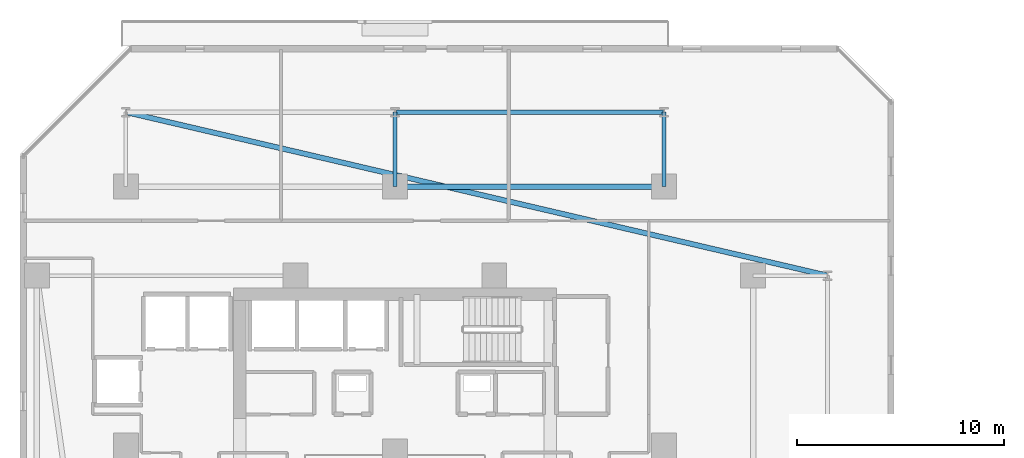
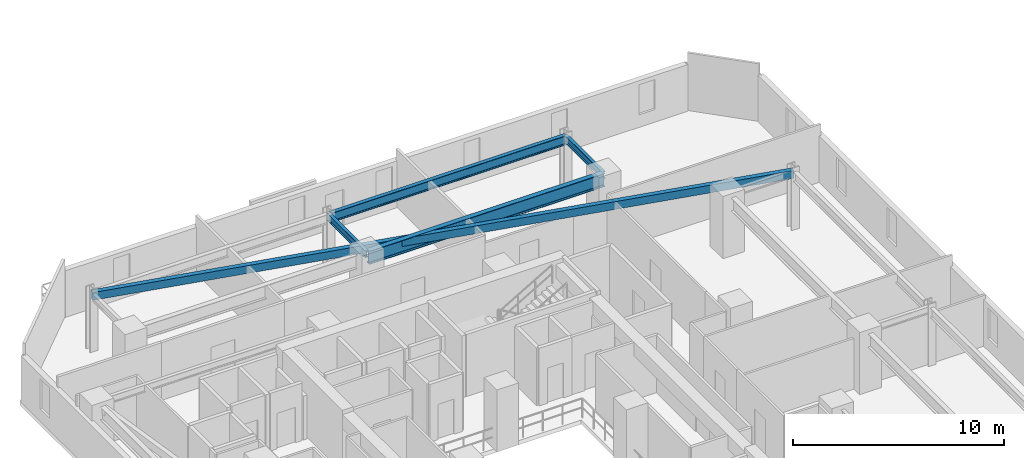
# One storey, part 9 of 31: 5 beams.
"""IFC4 building model written with IfcOpenShell, lengths in metres."""

import ifcopenshell
import ifcopenshell.guid

model = None  # the IFC model being written
_history = None  # IfcOwnerHistory: only IFC2X3 demands one
_inside = {}  # id of a spatial element -> (the spatial element, [elements in it])
_under = {}  # id of a project, library or spatial element -> (it, [spatial elements below it])
_declared = {}  # id of a project -> (the project, [libraries it declares])
_typed = {}  # id of a type object -> (the type object, [elements of that type])
_made_of = {}  # id of a material, layer set ... -> (it, [elements and type objects made of it])


def new_model(schema):
    """Start an empty IFC model of exactly this schema.

    Asked for "IFC4X3", IfcOpenShell would pick the latest addendum, in which some entities
    have other attributes; the version numbers below select the first issue.
    IFC2X3 requires an IfcOwnerHistory on every rooted entity: one is made here for all.
    """
    global model, _history
    if schema == "IFC4X3":
        model = ifcopenshell.file(schema_version=(4, 3, 0, 0))
    else:
        model = ifcopenshell.file(schema=schema)
    _inside.clear()
    _under.clear()
    _declared.clear()
    _typed.clear()
    _made_of.clear()
    _history = None
    if model.schema == "IFC2X3":
        org = make("IfcOrganization", Name="unknown")
        user = make(
            "IfcPersonAndOrganization",
            ThePerson=make("IfcPerson", FamilyName="unknown"),
            TheOrganization=org,
        )
        app = make(
            "IfcApplication",
            ApplicationDeveloper=org,
            Version="unknown",
            ApplicationFullName="unknown",
            ApplicationIdentifier="unknown",
        )
        _history = make(
            "IfcOwnerHistory",
            OwningUser=user,
            OwningApplication=app,
            ChangeAction="ADDED",
            CreationDate=0,
        )
    return model


def make(cls, **values):
    """One entity of the class cls with the attributes given. An attribute that is None is left unset."""
    return model.create_entity(
        cls, **{name: value for name, value in values.items() if value is not None}
    )


def rooted(cls, **values):
    """An entity with a GlobalId (a new one), such as an element, a storey or a relation."""
    return make(cls, GlobalId=ifcopenshell.guid.new(), OwnerHistory=_history, **values)


def si_unit(unit_type, name, prefix=None):
    """IfcSIUnit, for example si_unit("LENGTHUNIT", "METRE", prefix="MILLI")."""
    return make("IfcSIUnit", UnitType=unit_type, Prefix=prefix, Name=name)


def assignment(units):
    """IfcUnitAssignment: the units of a project."""
    return None if units is None else make("IfcUnitAssignment", Units=units)


def point(xyz):
    """IfcCartesianPoint."""
    return None if xyz is None else make("IfcCartesianPoint", Coordinates=xyz)


def direction(xyz):
    """IfcDirection."""
    return None if xyz is None else make("IfcDirection", DirectionRatios=xyz)


def frame(location, z_axis=None, x_axis=None):
    """IfcAxis2Placement3D, a coordinate frame: its origin and axes. An axis left out is left unset."""
    return make(
        "IfcAxis2Placement3D",
        Location=point(location),
        Axis=direction(z_axis),
        RefDirection=direction(x_axis),
    )


def frame_2d(location, x_axis=None):
    """IfcAxis2Placement2D, a coordinate frame in the plane: its origin and x axis."""
    return make(
        "IfcAxis2Placement2D", Location=point(location), RefDirection=direction(x_axis)
    )


def origin():
    """The frame at (0, 0, 0) with its axes left unset."""
    return frame((0.0, 0.0, 0.0))


def origin_2d():
    """The frame at (0, 0) in the plane with its x axis left unset."""
    return frame_2d((0.0, 0.0))


def place(relative_to, where):
    """IfcLocalPlacement: puts the frame where relative to a parent placement (None: the world)."""
    return make(
        "IfcLocalPlacement", PlacementRelTo=relative_to, RelativePlacement=where
    )


def context(
    kind, dimensions, precision=None, world=None, true_north=None, identifier=None
):
    """IfcGeometricRepresentationContext, for example the 3D "Model" context."""
    return make(
        "IfcGeometricRepresentationContext",
        ContextIdentifier=identifier,
        ContextType=kind,
        CoordinateSpaceDimension=dimensions,
        Precision=precision,
        WorldCoordinateSystem=world,
        TrueNorth=true_north,
    )


def subcontext(parent, identifier, kind, view, scale=None):
    """IfcGeometricRepresentationSubContext, for example "Body" below "Model"."""
    return make(
        "IfcGeometricRepresentationSubContext",
        ContextIdentifier=identifier,
        ContextType=kind,
        ParentContext=parent,
        TargetScale=scale,
        TargetView=view,
    )


def project(units=None, contexts=None):
    """IfcProject with its units and contexts."""
    return rooted(
        "IfcProject",
        Name="project",
        RepresentationContexts=contexts,
        UnitsInContext=assignment(units),
    )


def spatial(cls, under=None, at=None, **own):
    """A site, building, storey or space (cls), placed at a placement, below another one or the project."""
    s = rooted(cls, ObjectPlacement=at, **own)
    if under is not None:
        _under.setdefault(under.id(), (under, []))[1].append(s)
    return s


def profile(cls, at=None, kind="AREA", **sizes):
    """A parametric profile (cls). Its sizes go by their IFC names, for example OverallWidth=200.0."""
    return make(cls, ProfileType=kind, Position=at, **sizes)


def hollow_rectangle(**sizes):
    """IfcRectangleHollowProfileDef."""
    return profile("IfcRectangleHollowProfileDef", **sizes)


def i_section(**sizes):
    """IfcIShapeProfileDef."""
    return profile("IfcIShapeProfileDef", **sizes)


def extrude(swept, where, along, depth):
    """IfcExtrudedAreaSolid: the profile swept, set in the frame where, extruded along a direction by depth."""
    return make(
        "IfcExtrudedAreaSolid",
        SweptArea=swept,
        Position=where,
        ExtrudedDirection=direction(along),
        Depth=depth,
    )


def shape(context_of_items, identifier, shape_type, items):
    """IfcShapeRepresentation: the items that make up one representation, for example the "Body"."""
    return make(
        "IfcShapeRepresentation",
        ContextOfItems=context_of_items,
        RepresentationIdentifier=identifier,
        RepresentationType=shape_type,
        Items=items,
    )


def material(Name=None, Category=None):
    """IfcMaterial."""
    return make("IfcMaterial", Name=Name, Category=Category)


def material_profile(
    of_material, cross_section, Name=None, Category=None, Priority=None
):
    """IfcMaterialProfile: a cross section and its material."""
    return make(
        "IfcMaterialProfile",
        Name=Name,
        Material=of_material,
        Profile=cross_section,
        Priority=Priority,
        Category=Category,
    )


def profile_set(profiles, Name=None, composite=None):
    """IfcMaterialProfileSet."""
    return make(
        "IfcMaterialProfileSet",
        Name=Name,
        MaterialProfiles=profiles,
        CompositeProfile=composite,
    )


def made_of(thing, what):
    """Note that an element or type object is made of a material, layer set ...; save() writes the relation."""
    if what is not None:
        _made_of.setdefault(what.id(), (what, []))[1].append(thing)
    return thing


def type_object(cls, material=None, **own):
    """A type object (cls), such as IfcWallType, which elements share."""
    return made_of(rooted(cls, **own), material)


def element(
    cls,
    number,
    at=None,
    inside=None,
    cuts=None,
    type_object=None,
    material=None,
    context=None,
    identifier="Body",
    shape_type=None,
    held_by="IfcProductDefinitionShape",
    body=None,
    shapes=None,
    **own,
):
    """One element of the class cls, such as IfcWall. Its Tag is "e" and its number.

    at: its placement. inside: the storey or other place that contains it. cuts: it is an
    opening in that element (IfcRelVoidsElement). A single representation is given by context,
    identifier, shape_type and body (its items); several are given by shapes. held_by: the class
    of the entity that holds the representations. save() writes the other relations.
    """
    e = rooted(cls, Tag="e%d" % number, ObjectPlacement=at, **own)
    if body is not None:
        shapes = [shape(context, identifier, shape_type, body)]
    if shapes is not None:
        e.Representation = make(held_by, Representations=shapes)
    if inside is not None:
        _inside.setdefault(inside.id(), (inside, []))[1].append(e)
    if cuts is not None:
        rooted(
            "IfcRelVoidsElement", RelatingBuildingElement=cuts, RelatedOpeningElement=e
        )
    if type_object is not None:
        _typed.setdefault(type_object.id(), (type_object, []))[1].append(e)
    return made_of(e, material)


def aggregate(whole, parts):
    """IfcRelAggregates: a whole, such as a stair, and the parts it consists of."""
    return rooted("IfcRelAggregates", RelatingObject=whole, RelatedObjects=parts)


def save(model, path):
    """Write the relations noted so far, then the file.

    IfcRelAggregates (storeys below a building ...), IfcRelContainedInSpatialStructure (elements
    in a storey), IfcRelDefinesByType, IfcRelAssociatesMaterial and IfcRelDeclares: one each for
    every whole, place, type object, material and project.
    """
    for whole, parts in _under.values():
        aggregate(whole, parts)
    for where, things in _inside.values():
        rooted(
            "IfcRelContainedInSpatialStructure",
            RelatedElements=things,
            RelatingStructure=where,
        )
    for kind, things in _typed.values():
        rooted("IfcRelDefinesByType", RelatedObjects=things, RelatingType=kind)
    for what, things in _made_of.values():
        rooted("IfcRelAssociatesMaterial", RelatedObjects=things, RelatingMaterial=what)
    for by, libraries in _declared.values():
        rooted("IfcRelDeclares", RelatingContext=by, RelatedDefinitions=libraries)
    model.write(path)


model = new_model("IFC4")

# Units and contexts
model_context = context("Model", 3, precision=1e-05, world=origin(), true_north=direction((0.0, 1.0)))
body_context = subcontext(model_context, "Body", "Model", "MODEL_VIEW")
ifc_project = project(units=[si_unit("LENGTHUNIT", "METRE"), si_unit("AREAUNIT", "SQUARE_METRE"), si_unit("VOLUMEUNIT", "CUBIC_METRE"), si_unit("PLANEANGLEUNIT", "RADIAN"), si_unit("MASSUNIT", "GRAM", prefix="KILO")], contexts=[model_context])

# Site, building, storey
site_placement = place(None, origin())
site = spatial("IfcSite", under=ifc_project, at=site_placement, CompositionType="ELEMENT")
building_placement = place(site_placement, origin())
building = spatial("IfcBuilding", under=site, at=building_placement, Name="Thornwick Lancets Civic Towers", CompositionType="ELEMENT")
storey_placement = place(building_placement, frame((0.0, 0.0, 87.300048828125)))
storey = spatial("IfcBuildingStorey", under=building, at=storey_placement, Name="L22", CompositionType="ELEMENT", Elevation=87.300048828125)

# Beams
ifc_material = material(Name="Steel S355JR", Category="steel")
ifc_material_profile_1 = material_profile(ifc_material, i_section(OverallWidth=0.2119140625, OverallDepth=0.54443359375, WebThickness=0.0126953125, FlangeThickness=0.021240234375, FilletRadius=0.0126953125, at=origin_2d()), Name="UKB 533x210x122")
ifc_profile_set_1 = profile_set([ifc_material_profile_1], Name="Steel S355JR")
beam_type_1 = type_object("IfcBeamType", Name="BM_EDGE_533_122", PredefinedType="SPANDREL", material=ifc_profile_set_1)
beam_1_placement = place(storey_placement, frame((25.580078125, 47.89990234375, 3.087646484375), z_axis=(1.0, 0.0, 0.0), x_axis=(0.0, 1.0, 0.0)))
element("IfcBeam", 1, at=beam_1_placement, inside=storey, type_object=beam_type_1, Name="BM-EDGE-L22-A-S2-2", PredefinedType="SPANDREL", context=body_context, shape_type="SweptSolid", body=[
    extrude(i_section(OverallWidth=0.2119140625, OverallDepth=0.54443359375, WebThickness=0.0126953125, FlangeThickness=0.021240234375, FilletRadius=0.0126953125, at=origin_2d()), origin(), (0.0, 0.0, 1.0), 12.919921875),
])
ifc_material_profile_2 = material_profile(ifc_material, i_section(OverallWidth=0.26806640625, OverallDepth=0.769775390625, WebThickness=0.015625, FlangeThickness=0.025390625, FilletRadius=0.0166015625, at=origin_2d()), Name="UKB 762x267x197")
ifc_profile_set_2 = profile_set([ifc_material_profile_2], Name="Steel S355JR")
beam_type_2 = type_object("IfcBeamType", Name="BM_GIRD_762_197", PredefinedType="BEAM", material=ifc_profile_set_2)
beam_2_placement = place(storey_placement, frame((25.580078125, 44.300048828125, 2.97509765625), z_axis=(1.0, 0.0, 0.0), x_axis=(0.0, 1.0, 0.0)))
element("IfcBeam", 2, at=beam_2_placement, inside=storey, type_object=beam_type_2, Name="BM-SPINE-L22-A-7-8", PredefinedType="BEAM", context=body_context, shape_type="SweptSolid", body=[
    extrude(i_section(OverallWidth=0.26806640625, OverallDepth=0.769775390625, WebThickness=0.015625, FlangeThickness=0.025390625, FilletRadius=0.0166015625, at=origin_2d()), origin(), (0.0, 0.0, 1.0), 12.919921875),
])
ifc_material_profile_3 = material_profile(ifc_material, i_section(OverallWidth=0.179443359375, OverallDepth=0.412841796875, WebThickness=0.009521484375, FlangeThickness=0.01611328125, FilletRadius=0.01025390625, at=origin_2d()), Name="UKB 406x178x74")
ifc_profile_set_3 = profile_set([ifc_material_profile_3], Name="Steel S355JR")
beam_type_3 = type_object("IfcBeamType", Name="BM_JOIST_406_74", PredefinedType="JOIST", material=ifc_profile_set_3)
for number, where, z_axis, x_axis, name in (
    (3, (25.5, 44.300048828125, 3.153564453125), (0.0, 1.0, 0.0), (-1.0, 0.0, 0.0), "BM-RAD-L22-A08"),
    (4, (38.5, 44.300048828125, 3.153564453125), (0.0, 1.0, 0.0), (-1.0, 0.0, 0.0), "BM-RAD-L22-A09"),
):
    element("IfcBeam", number, at=place(storey_placement, frame(where, z_axis=z_axis, x_axis=x_axis)), inside=storey, type_object=beam_type_3, Name=name, PredefinedType="JOIST", context=body_context, shape_type="SweptSolid", body=[
        extrude(i_section(OverallWidth=0.179443359375, OverallDepth=0.412841796875, WebThickness=0.009521484375, FlangeThickness=0.01611328125, FilletRadius=0.01025390625, at=origin_2d()), origin(), (0.0, 0.0, 1.0), 3.599853515625),
    ])
ifc_material_profile_4 = material_profile(ifc_material, hollow_rectangle(XDim=0.25, YDim=0.449951171875, WallThickness=0.01611328125, at=origin_2d()), Name="RHS 450x250x16")
ifc_profile_set_4 = profile_set([ifc_material_profile_4], Name="Steel S355JR")
beam_type_4 = type_object("IfcBeamType", Name="BM_RING_RHS450", PredefinedType="BEAM", material=ifc_profile_set_4)
beam_3_placement = place(storey_placement, frame((46.39990234375, 40.0, 3.135009765625), z_axis=(-0.973905219823, 0.226955111866, 0.0), x_axis=(-0.226955111866, -0.973905219823, 0.0)))
element("IfcBeam", 5, at=beam_3_placement, inside=storey, type_object=beam_type_4, Name="BM-CHAMF-L22-A-C1", PredefinedType="BEAM", context=body_context, shape_type="SweptSolid", body=[
    extrude(hollow_rectangle(XDim=0.25, YDim=0.449951171875, WallThickness=0.01611328125, at=origin_2d()), origin(), (0.0, 0.0, 1.0), 34.80810546875),
])

save(model, "model.ifc")
